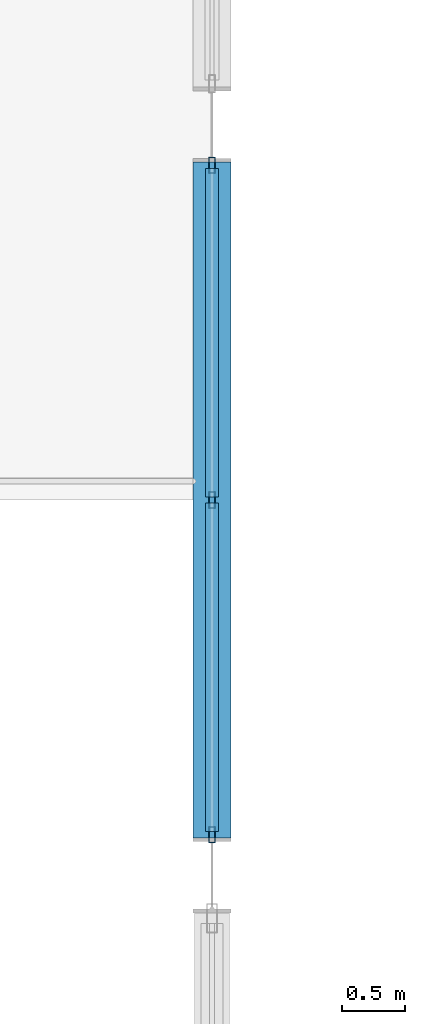
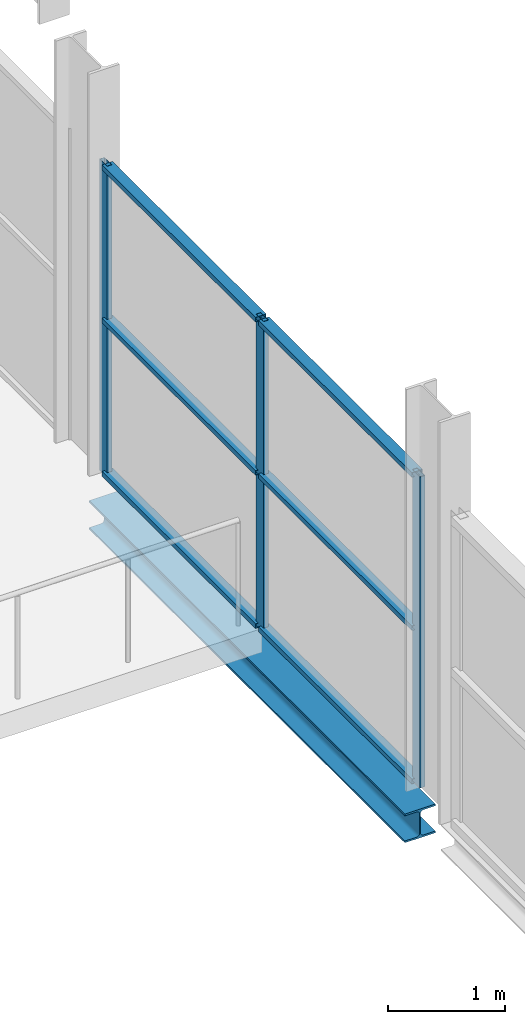
# One storey, part 35 of 135: 9 members, 1 beam, 1 element without a shape of its own.
"""IFC4 building model written with IfcOpenShell, lengths in metres."""

from ifc_helpers import new_model, si_unit, direction, frame, origin, origin_2d, place, context, subcontext, project, spatial, hollow_rectangle, i_section, extrude, material, layer, layer_set, material_profile, profile_set, type_object, element, aggregate, save


model = new_model("IFC4")

# Units and contexts
model_context = context("Model", 3, precision=1e-05, world=origin(), true_north=direction((0.0, 1.0)))
body_context = subcontext(model_context, "Body", "Model", "MODEL_VIEW")
ifc_project = project(units=[si_unit("LENGTHUNIT", "METRE"), si_unit("AREAUNIT", "SQUARE_METRE"), si_unit("VOLUMEUNIT", "CUBIC_METRE"), si_unit("PLANEANGLEUNIT", "RADIAN"), si_unit("MASSUNIT", "GRAM", prefix="KILO")], contexts=[model_context])

# Site, building, storey
site_placement = place(None, origin())
site = spatial("IfcSite", under=ifc_project, at=site_placement, CompositionType="ELEMENT")
building_placement = place(site_placement, origin())
building = spatial("IfcBuilding", under=site, at=building_placement, Name="Deido Ridge Mobility Hub", CompositionType="ELEMENT")
storey_placement = place(building_placement, frame((0.0, 0.0, 4.199951171875)))
storey = spatial("IfcBuildingStorey", under=building, at=storey_placement, Name="L01", CompositionType="ELEMENT", Elevation=4.199951171875)

# Curtain wall, members
ifc_material_1 = material(Name="Anodised aluminium EN AW-6063 T6", Category="aluminium")
ifc_layer = layer(ifc_material_1, 0.179931640625, Name="Anodised aluminium EN AW-6063 T6")
ifc_layer_set = layer_set([ifc_layer], Name="Anodised aluminium EN AW-6063 T6")
curtain_wall_type = type_object("IfcCurtainWallType", Name="CW-UF-2", PredefinedType="USERDEFINED", material=ifc_layer_set)
curtain_wall_placement = place(storey_placement, origin())
curtain_wall = element("IfcCurtainWall", 1, at=curtain_wall_placement, inside=storey, type_object=curtain_wall_type, Name="Unitised curtain wall CW2", ObjectType="UNITISED FACADE", PredefinedType="USERDEFINED")
ifc_material_profile_1 = material_profile(ifc_material_1, hollow_rectangle(XDim=0.050048828125, YDim=0.1298828125, WallThickness=0.00390625, at=origin_2d()), Name="RHS 50x130x4")
ifc_profile_set_1 = profile_set([ifc_material_profile_1], Name="Anodised aluminium EN AW-6063 T6")
member_type_1 = type_object("IfcMemberType", Name="MEM-MUL-50X130", PredefinedType="MULLION", material=ifc_profile_set_1)
member_1_placement = place(storey_placement, frame((60.0, 24.324951171875, 0.0), z_axis=(0.0, 0.0, 1.0), x_axis=(-1.0, 0.0, 0.0)))
member_1 = element("IfcMember", 2, at=member_1_placement, type_object=member_type_1, Name="CW2 mullion 1", PredefinedType="MULLION", context=body_context, shape_type="SweptSolid", body=[
    extrude(hollow_rectangle(XDim=0.050048828125, YDim=0.1298828125, WallThickness=0.00390625, at=origin_2d()), origin(), (0.0, 0.0, 1.0), 3.25),
])
member_2_placement = place(storey_placement, frame((60.0, 27.0, 0.0), z_axis=(0.0, 0.0, 1.0), x_axis=(-1.0, 0.0, 0.0)))
member_2 = element("IfcMember", 3, at=member_2_placement, type_object=member_type_1, Name="CW2 mullion 2", PredefinedType="MULLION", context=body_context, shape_type="SweptSolid", body=[
    extrude(hollow_rectangle(XDim=0.050048828125, YDim=0.1298828125, WallThickness=0.00390625, at=origin_2d()), origin(), (0.0, 0.0, 1.0), 3.25),
])
member_3_placement = place(storey_placement, frame((60.0, 29.675048828125, 0.0), z_axis=(0.0, 0.0, 1.0), x_axis=(-1.0, 0.0, 0.0)))
member_3 = element("IfcMember", 4, at=member_3_placement, type_object=member_type_1, Name="CW2 mullion 3", PredefinedType="MULLION", context=body_context, shape_type="SweptSolid", body=[
    extrude(hollow_rectangle(XDim=0.050048828125, YDim=0.1298828125, WallThickness=0.00390625, at=origin_2d()), origin(), (0.0, 0.0, 1.0), 3.25),
])
ifc_material_profile_2 = material_profile(ifc_material_1, hollow_rectangle(XDim=0.10498046875, YDim=0.050048828125, WallThickness=0.00390625, at=origin_2d()), Name="RHS 105x50x4")
ifc_profile_set_2 = profile_set([ifc_material_profile_2], Name="Anodised aluminium EN AW-6063 T6")
member_type_2 = type_object("IfcMemberType", Name="MEM-TRN-105X50", PredefinedType="USERDEFINED", material=ifc_profile_set_2)
member_4_placement = place(storey_placement, frame((60.0, 24.35009765625, 0.025146484375), z_axis=(0.0, 1.0, 0.0), x_axis=(-1.0, 0.0, 0.0)))
member_4 = element("IfcMember", 5, at=member_4_placement, type_object=member_type_2, Name="CW2 transom 1.1", ObjectType="TRANSOM", PredefinedType="USERDEFINED", context=body_context, shape_type="SweptSolid", body=[
    extrude(hollow_rectangle(XDim=0.10498046875, YDim=0.050048828125, WallThickness=0.00390625, at=origin_2d()), origin(), (0.0, 0.0, 1.0), 2.625),
])
member_5_placement = place(storey_placement, frame((60.0, 24.35009765625, 1.625), z_axis=(0.0, 1.0, 0.0), x_axis=(-1.0, 0.0, 0.0)))
member_5 = element("IfcMember", 6, at=member_5_placement, type_object=member_type_2, Name="CW2 transom 1.2", ObjectType="TRANSOM", PredefinedType="USERDEFINED", context=body_context, shape_type="SweptSolid", body=[
    extrude(hollow_rectangle(XDim=0.10498046875, YDim=0.050048828125, WallThickness=0.00390625, at=origin_2d()), origin(), (0.0, 0.0, 1.0), 2.625),
])
member_6_placement = place(storey_placement, frame((60.0, 24.35009765625, 3.22509765625), z_axis=(0.0, 1.0, 0.0), x_axis=(-1.0, 0.0, 0.0)))
member_6 = element("IfcMember", 7, at=member_6_placement, type_object=member_type_2, Name="CW2 transom 1.3", ObjectType="TRANSOM", PredefinedType="USERDEFINED", context=body_context, shape_type="SweptSolid", body=[
    extrude(hollow_rectangle(XDim=0.10498046875, YDim=0.050048828125, WallThickness=0.00390625, at=origin_2d()), origin(), (0.0, 0.0, 1.0), 2.625),
])
member_7_placement = place(storey_placement, frame((60.0, 27.02490234375, 0.025146484375), z_axis=(0.0, 1.0, 0.0), x_axis=(-1.0, 0.0, 0.0)))
member_7 = element("IfcMember", 8, at=member_7_placement, type_object=member_type_2, Name="CW2 transom 2.1", ObjectType="TRANSOM", PredefinedType="USERDEFINED", context=body_context, shape_type="SweptSolid", body=[
    extrude(hollow_rectangle(XDim=0.10498046875, YDim=0.050048828125, WallThickness=0.00390625, at=origin_2d()), origin(), (0.0, 0.0, 1.0), 2.625),
])
member_8_placement = place(storey_placement, frame((60.0, 27.02490234375, 1.625), z_axis=(0.0, 1.0, 0.0), x_axis=(-1.0, 0.0, 0.0)))
member_8 = element("IfcMember", 9, at=member_8_placement, type_object=member_type_2, Name="CW2 transom 2.2", ObjectType="TRANSOM", PredefinedType="USERDEFINED", context=body_context, shape_type="SweptSolid", body=[
    extrude(hollow_rectangle(XDim=0.10498046875, YDim=0.050048828125, WallThickness=0.00390625, at=origin_2d()), origin(), (0.0, 0.0, 1.0), 2.625),
])
member_9_placement = place(storey_placement, frame((60.0, 27.02490234375, 3.22509765625), z_axis=(0.0, 1.0, 0.0), x_axis=(-1.0, 0.0, 0.0)))
member_9 = element("IfcMember", 10, at=member_9_placement, type_object=member_type_2, Name="CW2 transom 2.3", ObjectType="TRANSOM", PredefinedType="USERDEFINED", context=body_context, shape_type="SweptSolid", body=[
    extrude(hollow_rectangle(XDim=0.10498046875, YDim=0.050048828125, WallThickness=0.00390625, at=origin_2d()), origin(), (0.0, 0.0, 1.0), 2.625),
])
aggregate(curtain_wall, [member_1, member_2, member_3, member_4, member_5, member_6, member_7, member_8, member_9])

# Beam
ifc_material_2 = material(Name="Steel S355J2 EN 10025-2", Category="steel")
ifc_material_profile_3 = material_profile(ifc_material_2, i_section(OverallWidth=0.300048828125, OverallDepth=0.300048828125, WebThickness=0.010986328125, FlangeThickness=0.01904296875, FilletRadius=0.027099609375, at=origin_2d()), Name="HEB 300")
ifc_profile_set_3 = profile_set([ifc_material_profile_3], Name="Steel S355J2 EN 10025-2")
beam_type = type_object("IfcBeamType", Name="SPD-HEB300", PredefinedType="SPANDREL", material=ifc_profile_set_3)
beam_placement = place(storey_placement, frame((60.0, 24.300048828125, -0.39990234375), z_axis=(0.0, 1.0, 0.0), x_axis=(-1.0, 0.0, 0.0)))
element("IfcBeam", 11, at=beam_placement, inside=storey, type_object=beam_type, Name="Floor beam SP1", PredefinedType="SPANDREL", context=body_context, shape_type="SweptSolid", body=[
    extrude(i_section(OverallWidth=0.300048828125, OverallDepth=0.300048828125, WebThickness=0.010986328125, FlangeThickness=0.01904296875, FilletRadius=0.027099609375, at=origin_2d()), origin(), (0.0, 0.0, 1.0), 5.39990234375),
])

save(model, "model.ifc")
